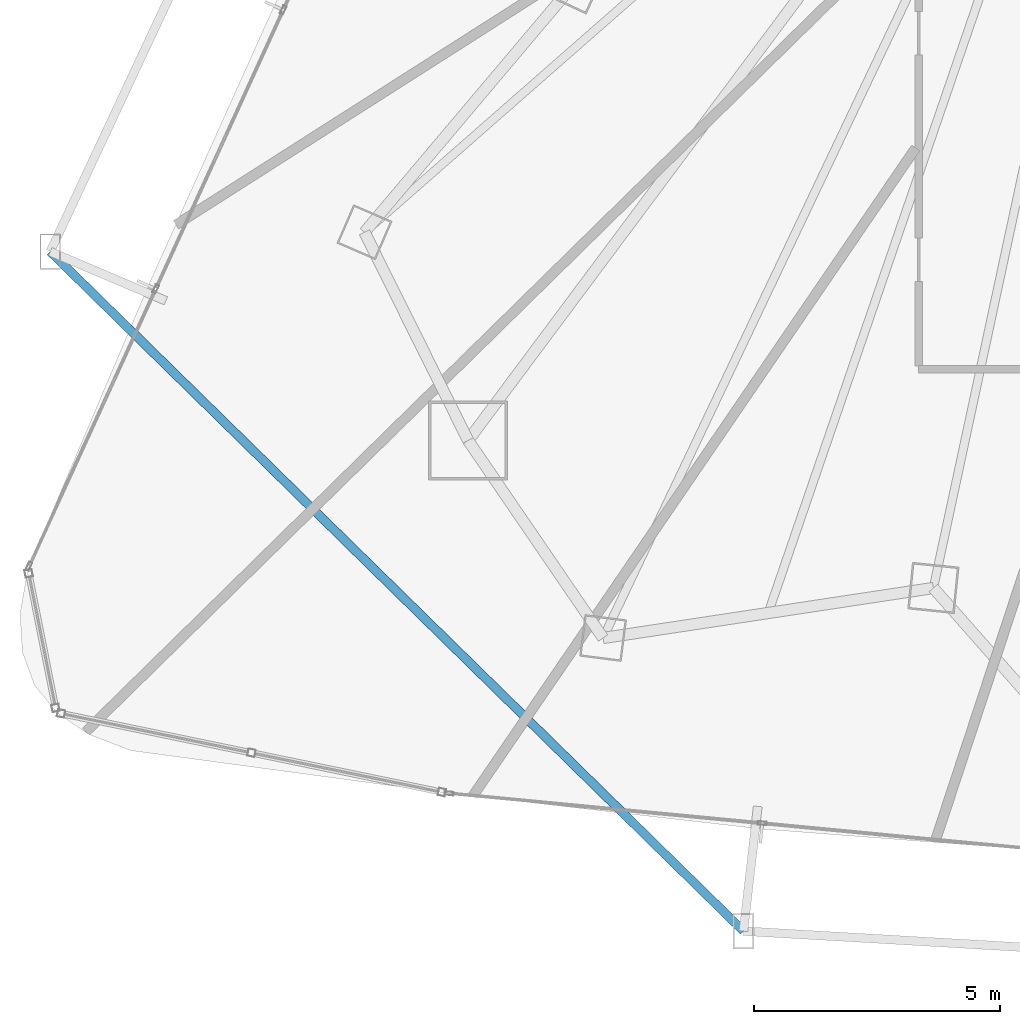
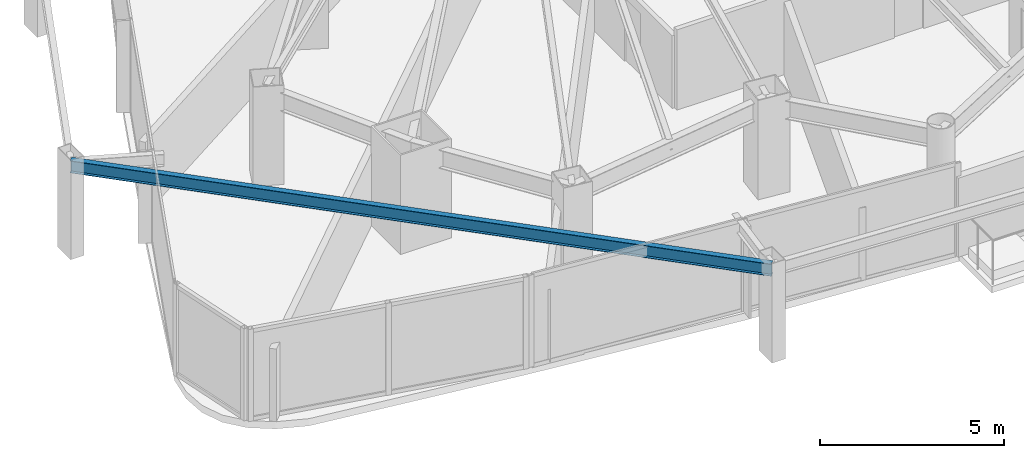
# One storey, part 3 of 34: 1 beam.
"""IFC4 building model written with IfcOpenShell, lengths in metres."""

from ifc_helpers import new_model, si_unit, direction, frame, origin, origin_2d, place, context, subcontext, project, spatial, i_section, extrude, material, material_profile, profile_set, type_object, element, save


model = new_model("IFC4")

# Units and contexts
model_context = context("Model", 3, precision=1e-05, world=origin(), true_north=direction((0.0, 1.0)))
body_context = subcontext(model_context, "Body", "Model", "MODEL_VIEW")
ifc_project = project(units=[si_unit("LENGTHUNIT", "METRE"), si_unit("AREAUNIT", "SQUARE_METRE"), si_unit("VOLUMEUNIT", "CUBIC_METRE"), si_unit("PLANEANGLEUNIT", "RADIAN"), si_unit("MASSUNIT", "GRAM", prefix="KILO")], contexts=[model_context])

# Site, building, storey
site_placement = place(None, origin())
site = spatial("IfcSite", under=ifc_project, at=site_placement, CompositionType="ELEMENT")
building_placement = place(site_placement, origin())
building = spatial("IfcBuilding", under=site, at=building_placement, Name="Orvanel Arch Residences", CompositionType="ELEMENT")
storey_placement = place(building_placement, frame((0.0, 0.0, 64.25)))
storey = spatial("IfcBuildingStorey", under=building, at=storey_placement, Name="L17", CompositionType="ELEMENT", Elevation=64.25)

# Beam
ifc_material = material(Name="Structural steel AS/NZS 3679.1 Grade 300 (300 MPa)", Category="steel")
ifc_material_profile = material_profile(ifc_material, i_section(OverallWidth=0.177978515625, OverallDepth=0.406005859375, WebThickness=0.0078125, FlangeThickness=0.0126953125, at=origin_2d()), Name="410UB59.7")
ifc_profile_set = profile_set([ifc_material_profile], Name="Structural steel AS/NZS 3679.1 Grade 300 (300 MPa)")
beam_type = type_object("IfcBeamType", Name="OB-410UB-EXT", PredefinedType="SPANDREL", material=ifc_profile_set)
beam_placement = place(storey_placement, frame((5.712890625, 14.18603515625, 2.85693359375), z_axis=(0.714148701174, -0.699994023269, 0.0), x_axis=(0.699994023269, 0.714148701174, 0.0)))
element("IfcBeam", 1, at=beam_placement, inside=storey, type_object=beam_type, Name="L17 Outer Perimeter Floor Ring Beam 04", PredefinedType="SPANDREL", context=body_context, shape_type="SweptSolid", body=[
    extrude(i_section(OverallWidth=0.177978515625, OverallDepth=0.406005859375, WebThickness=0.0078125, FlangeThickness=0.0126953125, at=origin_2d()), origin(), (0.0, 0.0, 1.0), 19.714599609375),
])

save(model, "model.ifc")
